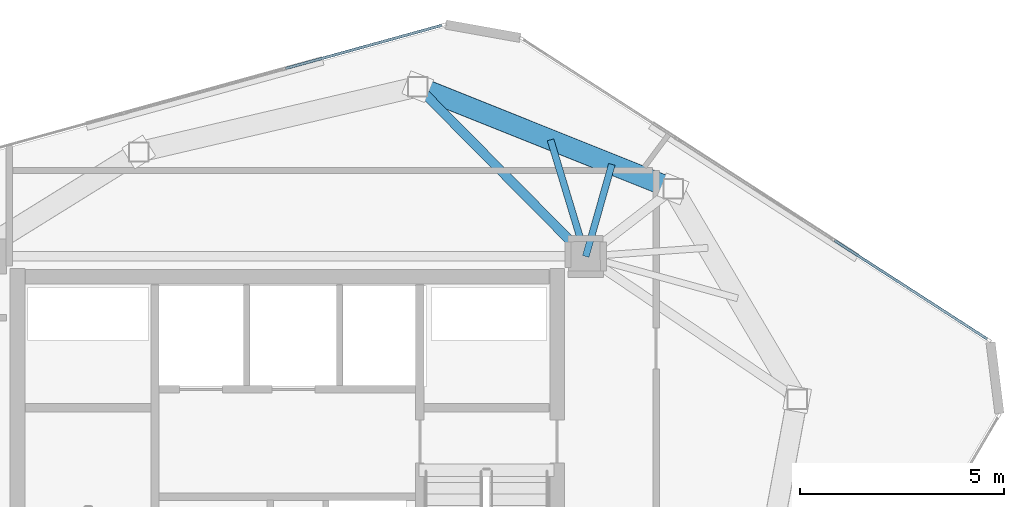
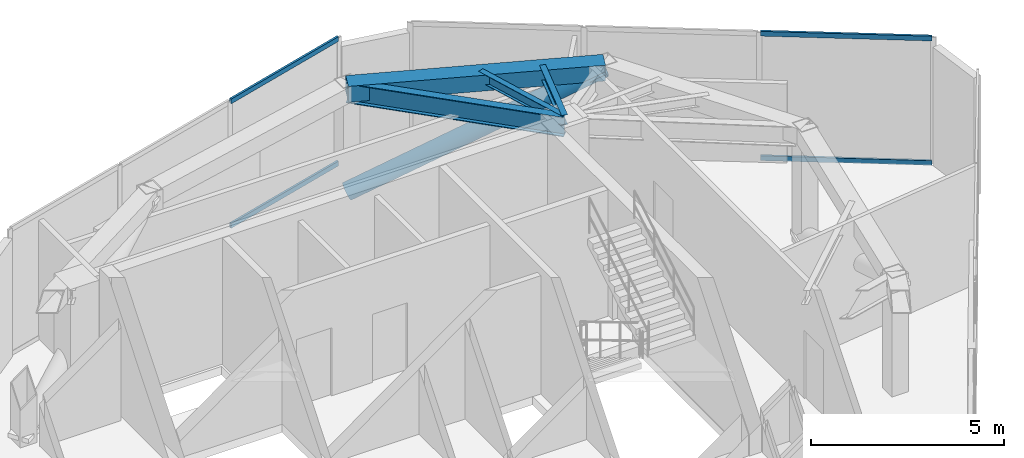
# One storey, part 12 of 19: 5 members, 4 beams, 2 elements without a shape of their own.
"""IFC4 building model written with IfcOpenShell, lengths in metres."""

from ifc_helpers import new_model, si_unit, direction, frame, origin, origin_2d, place, context, subcontext, project, spatial, hollow_rectangle, hollow_circle, i_section, extrude, source, transform, mapped, material, layer, layer_set, material_profile, profile_set, type_object, type_shapes, element, aggregate, save


model = new_model("IFC4")

# Units and contexts
model_context = context("Model", 3, precision=1e-05, world=origin(), true_north=direction((0.0, 1.0)))
body_context = subcontext(model_context, "Body", "Model", "MODEL_VIEW")
ifc_project = project(units=[si_unit("LENGTHUNIT", "METRE"), si_unit("AREAUNIT", "SQUARE_METRE"), si_unit("VOLUMEUNIT", "CUBIC_METRE"), si_unit("PLANEANGLEUNIT", "RADIAN"), si_unit("MASSUNIT", "GRAM", prefix="KILO")], contexts=[model_context])

# Site, building, storey
site_placement = place(None, origin())
site = spatial("IfcSite", under=ifc_project, at=site_placement, CompositionType="ELEMENT")
building_placement = place(site_placement, origin())
building = spatial("IfcBuilding", under=site, at=building_placement, Name="Talar Marvaseh", CompositionType="ELEMENT")
storey_placement = place(building_placement, frame((0.0, 0.0, 296.0)))
storey = spatial("IfcBuildingStorey", under=building, at=storey_placement, Name="L79", CompositionType="ELEMENT", Elevation=296.0)

# Beams
ifc_material_1 = material(Name="Steel S460", Category="steel")
ifc_material_profile_1 = material_profile(ifc_material_1, hollow_rectangle(XDim=0.5, YDim=0.5, WallThickness=0.02490234375, at=origin_2d()), Name="BOX500x500x25")
ifc_profile_set_1 = profile_set([ifc_material_profile_1], Name="Steel S460")
beam_type_1 = type_object("IfcBeamType", Name="Crown Frame Top Ring Beam BOX500x500x25", PredefinedType="BEAM", material=ifc_profile_set_1)
beam_1_placement = place(storey_placement, frame((29.18798828125, 41.052001953125, 3.489990234375), z_axis=(0.928426659475, -0.371515730456, 0.0), x_axis=(0.371515730456, 0.928426659475, 0.0)))
element("IfcBeam", 1, at=beam_1_placement, inside=storey, type_object=beam_type_1, Name="L79 Crown Frame Top Ring Beam BOX500x500x25", PredefinedType="BEAM", context=body_context, shape_type="SweptSolid", body=[
    extrude(hollow_rectangle(XDim=0.5, YDim=0.5, WallThickness=0.02490234375, at=origin_2d()), origin(), (0.0, 0.0, 1.0), 6.73193359375),
])
ifc_material_2 = material(Name="Steel S355", Category="steel")
ifc_material_profile_2 = material_profile(ifc_material_2, i_section(OverallWidth=0.166015625, OverallDepth=0.31298828125, WebThickness=0.006591796875, FlangeThickness=0.01123046875, at=origin_2d()), Name="W310x45")
ifc_profile_set_2 = profile_set([ifc_material_profile_2], Name="Steel S355")
beam_type_2 = type_object("IfcBeamType", Name="Zone 3 Secondary Floor Joist W310x45", PredefinedType="JOIST", material=ifc_profile_set_2)
beam_2_placement = place(storey_placement, frame((32.43798828125, 39.75146484375, 3.58349609375), z_axis=(0.289377277289, -0.957215122837, 0.0), x_axis=(0.957215122837, 0.289377277289, 0.0)))
element("IfcBeam", 2, at=beam_2_placement, inside=storey, type_object=beam_type_2, Name="L79 Zone 3 Secondary Floor Joist W310x45", PredefinedType="JOIST", context=body_context, shape_type="SweptSolid", body=[
    extrude(i_section(OverallWidth=0.166015625, OverallDepth=0.31298828125, WebThickness=0.006591796875, FlangeThickness=0.01123046875, at=origin_2d()), origin(), (0.0, 0.0, 1.0), 2.97900390625),
])
beam_3_placement = place(storey_placement, frame((33.93798828125, 39.151123046875, 3.58349609375), z_axis=(-0.272639596879, -0.962116235293, 0.0), x_axis=(0.962116235293, -0.272639596879, 0.0)))
element("IfcBeam", 3, at=beam_3_placement, inside=storey, type_object=beam_type_2, Name="L79 Zone 3 Secondary Floor Joist W310x45", PredefinedType="JOIST", context=body_context, shape_type="SweptSolid", body=[
    extrude(i_section(OverallWidth=0.166015625, OverallDepth=0.31298828125, WebThickness=0.006591796875, FlangeThickness=0.01123046875, at=origin_2d()), origin(), (0.0, 0.0, 1.0), 2.33984375),
])
ifc_material_profile_3 = material_profile(ifc_material_2, i_section(OverallWidth=0.22998046875, OverallDepth=0.616943359375, WebThickness=0.01318359375, FlangeThickness=0.022216796875, at=origin_2d()), Name="W610x140")
ifc_profile_set_3 = profile_set([ifc_material_profile_3], Name="Steel S355")
beam_type_3 = type_object("IfcBeamType", Name="Zone 4 Radial Floor Girder W610x140", PredefinedType="BEAM", material=ifc_profile_set_3)
beam_4_placement = place(storey_placement, frame((29.18798828125, 41.052001953125, 3.431396484375), z_axis=(0.703672658083, -0.710524306598, 0.0), x_axis=(0.710524306598, 0.703672658083, 0.0)))
element("IfcBeam", 4, at=beam_4_placement, inside=storey, type_object=beam_type_3, Name="L79 Zone 4 Radial Floor Girder W610x140", PredefinedType="BEAM", context=body_context, shape_type="SweptSolid", body=[
    extrude(i_section(OverallWidth=0.22998046875, OverallDepth=0.616943359375, WebThickness=0.01318359375, FlangeThickness=0.022216796875, at=origin_2d()), origin(), (0.0, 0.0, 1.0), 5.84375),
])

# Member
ifc_material_profile_4 = material_profile(ifc_material_1, hollow_circle(Radius=0.25390625, WallThickness=0.02001953125, at=origin_2d()), Name="CHS508x20")
ifc_profile_set_4 = profile_set([ifc_material_profile_4], Name="Steel S460")
member_type_1 = type_object("IfcMemberType", Name="Crown Frame Diagonal Brace CHS508x20", PredefinedType="BRACE", material=ifc_profile_set_4)
shared_shape_1 = source(origin(), body_context, "Body", "SweptSolid", [
    extrude(hollow_circle(Radius=0.25390625, WallThickness=0.02001953125, at=origin_2d()), origin(), (0.0, 0.0, 1.0), 7.470947265625),
])
type_shapes(member_type_1, [shared_shape_1])
member_1_placement = place(storey_placement, frame((29.18798828125, 41.052001953125, 0.25), z_axis=(0.836574961604, -0.334760699479, 0.433679152947), x_axis=(0.371515730456, 0.928426659475, 0.0)))
element("IfcMember", 5, at=member_1_placement, inside=storey, type_object=member_type_1, Name="L79 Crown Frame Diagonal Brace 5", PredefinedType="BRACE", context=body_context, shape_type="MappedRepresentation", body=[
    mapped(shared_shape_1, transform((0.0, 0.0, 0.0), x_axis=(1.0, 0.0, 0.0), y_axis=(0.0, 1.0, 0.0), z_axis=(0.0, 0.0, 1.0), scale=1.0)),
])

# Curtain wall, members
ifc_material_3 = material(Name="Architectural Aluminium", Category="aluminium")
ifc_layer = layer(ifc_material_3, 0.2099609375)
ifc_layer_set = layer_set([ifc_layer], Name="Architectural Aluminium")
curtain_wall_type = type_object("IfcCurtainWallType", Name="Crown Plant Acoustic Spandrel Curtain Wall", PredefinedType="NOTDEFINED", material=ifc_layer_set)
curtain_wall_1_placement = place(storey_placement, origin())
curtain_wall_1 = element("IfcCurtainWall", 6, at=curtain_wall_1_placement, inside=storey, type_object=curtain_wall_type, Name="L79 Crown Plant Acoustic Spandrel Curtain Wall", PredefinedType="NOTDEFINED")
ifc_material_profile_5 = material_profile(ifc_material_3, hollow_rectangle(XDim=0.06494140625, YDim=0.14990234375, WallThickness=0.00390625, at=origin_2d()), Name="RHS150x65x4")
ifc_profile_set_5 = profile_set([ifc_material_profile_5], Name="Architectural Aluminium")
member_type_2 = type_object("IfcMemberType", Name="Unitised Curtain Wall Slim Transom RHS150x65x4", PredefinedType="USERDEFINED", material=ifc_profile_set_5)
shared_shape_2 = source(origin(), body_context, "Body", "SweptSolid", [
    extrude(hollow_rectangle(XDim=0.06494140625, YDim=0.14990234375, WallThickness=0.00390625, at=origin_2d()), origin(), (0.0, 0.0, 1.0), 4.447509765625),
])
member_2_placement = place(storey_placement, frame((39.38427734375, 37.28955078125, 0.032470703125), z_axis=(0.840110254685, -0.54241567084, 0.0), x_axis=(0.54241567084, 0.840110254685, 0.0)))
member_2 = element("IfcMember", 7, at=member_2_placement, type_object=member_type_2, Name="CW-CRN transom 3.1", ObjectType="TRANSOM", PredefinedType="USERDEFINED", context=body_context, shape_type="MappedRepresentation", body=[
    mapped(shared_shape_2, transform((0.0, 0.0, 0.0), x_axis=(1.0, 0.0, 0.0), y_axis=(0.0, 1.0, 0.0), z_axis=(0.0, 0.0, 1.0), scale=1.0)),
])
member_3_placement = place(storey_placement, frame((39.38427734375, 37.28955078125, 3.967529296875), z_axis=(0.840110254685, -0.54241567084, 0.0), x_axis=(0.54241567084, 0.840110254685, 0.0)))
member_3 = element("IfcMember", 8, at=member_3_placement, type_object=member_type_2, Name="CW-CRN transom 3.2", ObjectType="TRANSOM", PredefinedType="USERDEFINED", context=body_context, shape_type="MappedRepresentation", body=[
    mapped(shared_shape_2, transform((0.0, 0.0, 0.0), x_axis=(1.0, 0.0, 0.0), y_axis=(0.0, 1.0, 0.0), z_axis=(0.0, 0.0, 1.0), scale=1.0)),
])
aggregate(curtain_wall_1, [member_2, member_3])

curtain_wall_2_placement = place(storey_placement, origin())
curtain_wall_2 = element("IfcCurtainWall", 9, at=curtain_wall_2_placement, inside=storey, type_object=curtain_wall_type, Name="L79 Crown Plant Acoustic Spandrel Curtain Wall", PredefinedType="NOTDEFINED")
shared_shape_3 = source(origin(), body_context, "Body", "SweptSolid", [
    extrude(hollow_rectangle(XDim=0.06494140625, YDim=0.14990234375, WallThickness=0.00390625, at=origin_2d()), origin(), (0.0, 0.0, 1.0), 3.970947265625),
])
type_shapes(member_type_2, [shared_shape_2, shared_shape_3])
member_4_placement = place(storey_placement, frame((25.95361328125, 41.4970703125, 0.032470703125), z_axis=(0.963949127563, 0.266086601447, 0.0), x_axis=(-0.266086601447, 0.963949127563, 0.0)))
member_4 = element("IfcMember", 10, at=member_4_placement, type_object=member_type_2, Name="CW-CRN transom 3.1", ObjectType="TRANSOM", PredefinedType="USERDEFINED", context=body_context, shape_type="MappedRepresentation", body=[
    mapped(shared_shape_3, transform((0.0, 0.0, 0.0), x_axis=(1.0, 0.0, 0.0), y_axis=(0.0, 1.0, 0.0), z_axis=(0.0, 0.0, 1.0), scale=1.0)),
])
member_5_placement = place(storey_placement, frame((25.95361328125, 41.4970703125, 3.967529296875), z_axis=(0.963949127563, 0.266086601447, 0.0), x_axis=(-0.266086601447, 0.963949127563, 0.0)))
member_5 = element("IfcMember", 11, at=member_5_placement, type_object=member_type_2, Name="CW-CRN transom 3.2", ObjectType="TRANSOM", PredefinedType="USERDEFINED", context=body_context, shape_type="MappedRepresentation", body=[
    mapped(shared_shape_3, transform((0.0, 0.0, 0.0), x_axis=(1.0, 0.0, 0.0), y_axis=(0.0, 1.0, 0.0), z_axis=(0.0, 0.0, 1.0), scale=1.0)),
])
aggregate(curtain_wall_2, [member_4, member_5])

save(model, "model.ifc")
